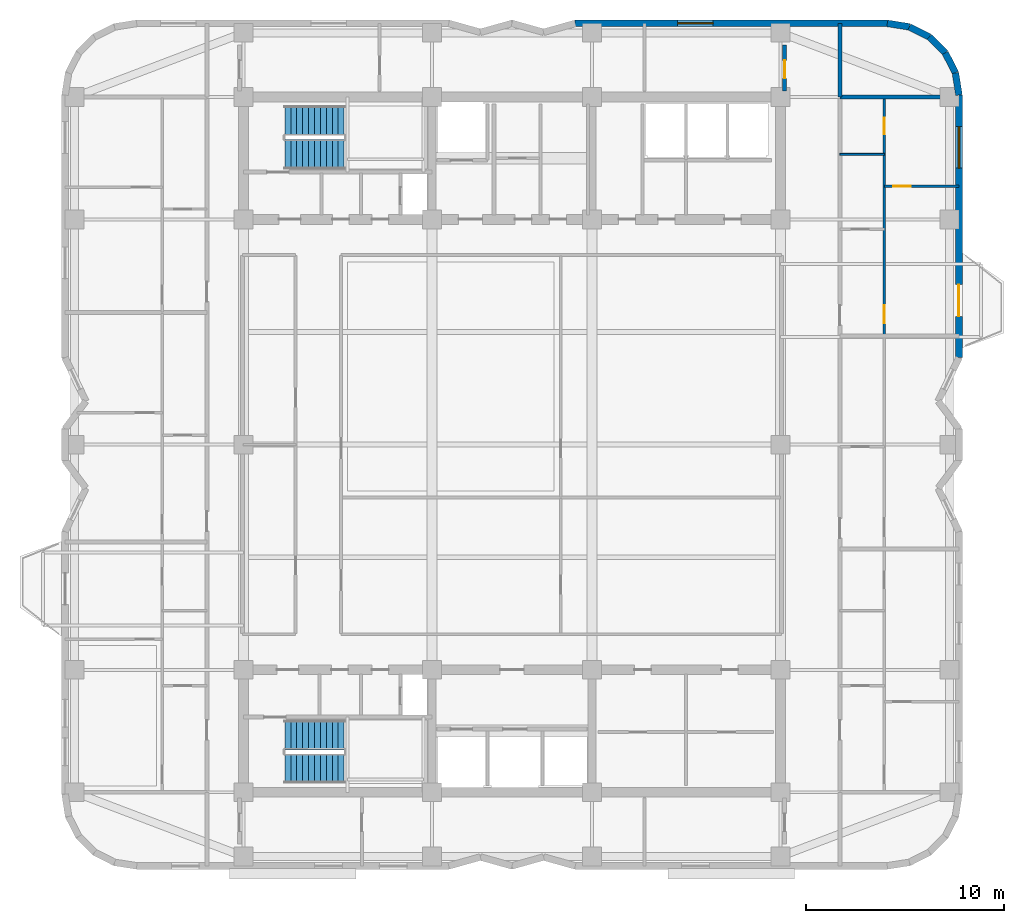
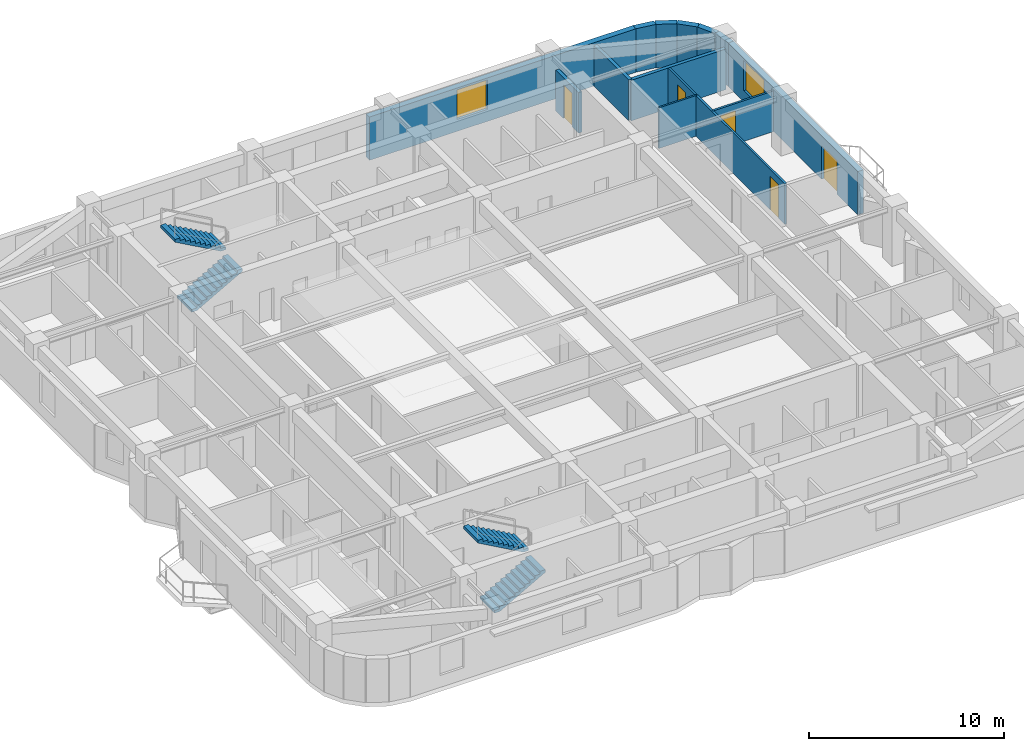
# One storey, part 7 of 10: 13 walls, 5 doors, 4 stair flights, 2 windows, 7 openings, 2 elements without a shape of their own.
"""IFC4 building model written with IfcOpenShell, lengths in metres."""

from ifc_helpers import new_model, si_unit, direction, frame, frame_2d, origin, place, context, subcontext, project, spatial, polyline, rectangle, outline, extrude, material, layer, layer_set, type_object, element, fill, aggregate, save


model = new_model("IFC4")

# Units and contexts
model_context = context("Model", 3, precision=1e-05, world=origin(), true_north=direction((0.0, 1.0)))
body_context = subcontext(model_context, "Body", "Model", "MODEL_VIEW")
ifc_project = project(units=[si_unit("LENGTHUNIT", "METRE"), si_unit("AREAUNIT", "SQUARE_METRE"), si_unit("VOLUMEUNIT", "CUBIC_METRE"), si_unit("PLANEANGLEUNIT", "RADIAN"), si_unit("MASSUNIT", "GRAM", prefix="KILO")], contexts=[model_context])

# Site, building, storey
site_placement = place(None, origin())
site = spatial("IfcSite", under=ifc_project, at=site_placement, CompositionType="ELEMENT")
building_placement = place(site_placement, origin())
building = spatial("IfcBuilding", under=site, at=building_placement, Name="Svetorya Sky Lyceum", CompositionType="ELEMENT")
storey_placement = place(building_placement, frame((0.0, 0.0, 188.5)))
storey = spatial("IfcBuildingStorey", under=building, at=storey_placement, Name="L47", CompositionType="ELEMENT", Elevation=188.5)

# Wall, openings, door, window
ifc_material_1 = material(Name="Putilovo limestone rainscreen on autoclaved cellular masonry", Category="masonry")
ifc_layer_1 = layer(ifc_material_1, 0.340087890625)
ifc_layer_set_1 = layer_set([ifc_layer_1], Name="Putilovo limestone rainscreen on autoclaved cellular masonry")
wall_type_1 = type_object("IfcWallType", Name="WL-EXT-340", PredefinedType="SOLIDWALL", material=ifc_layer_set_1)
wall_1_placement = place(storey_placement, frame((61.830078125, 32.60009765625, 0.0), z_axis=(0.0, 0.0, 1.0), x_axis=(0.0, 1.0, 0.0)))
wall_1 = element("IfcWall", 1, at=wall_1_placement, inside=storey, type_object=wall_type_1, Name="L47 Limestone Exterior Wall 23M", PredefinedType="SOLIDWALL", context=body_context, shape_type="SweptSolid", body=[
    extrude(rectangle(XDim=13.2998046875, YDim=0.340087890625, at=frame_2d((6.64990234375, 0.0))), origin(), (0.0, 0.0, 1.0), 2.719970703125),
])
opening_1_placement = place(wall_1_placement, frame((2.10009765625, 0.0, 0.0)))
opening_1 = element("IfcOpeningElement", 2, at=opening_1_placement, cuts=wall_1, Name="Opening D-BL1", PredefinedType="OPENING", context=body_context, shape_type="SweptSolid", body=[
    extrude(rectangle(XDim=1.60009765625, YDim=2.10009765625, at=frame_2d((0.800048828125, 1.050048828125))), frame((0.0, 0.179931640625, 0.0), z_axis=(0.0, -1.0, 0.0), x_axis=(1.0, 0.0, 0.0)), (0.0, 0.0, 1.0), 0.360107421875),
])
opening_2_placement = place(wall_1_placement, frame((9.60009765625, 0.0, 0.699951171875)))
opening_2 = element("IfcOpeningElement", 3, at=opening_2_placement, cuts=wall_1, Name="Opening W-R0", PredefinedType="OPENING", context=body_context, shape_type="SweptSolid", body=[
    extrude(rectangle(XDim=2.10009765625, YDim=1.89990234375, at=frame_2d((1.050048828125, 0.949951171875))), frame((0.0, 0.179931640625, 0.0), z_axis=(0.0, -1.0, 0.0), x_axis=(1.0, 0.0, 0.0)), (0.0, 0.0, 1.0), 0.360107421875),
])
ifc_material_2 = material(Name="Insulated glazed aluminium balcony door", Category="aluminium")
door_type_1 = type_object("IfcDoorType", Name="DR-BAL-1600", OperationType="DOUBLE_DOOR_SINGLE_SWING", PredefinedType="DOOR", material=ifc_material_2)
door_1_placement = place(opening_1_placement, origin())
door_1 = element("IfcDoor", 4, at=door_1_placement, inside=storey, type_object=door_type_1, Name="L47 Balcony BAL-E1 Door", OperationType="DOUBLE_DOOR_SINGLE_SWING", OverallHeight=2.10009765625, OverallWidth=1.60009765625, PredefinedType="DOOR", context=body_context, shape_type="SweptSolid", body=[
    extrude(rectangle(XDim=1.60009765625, YDim=2.10009765625, at=frame_2d((0.800048828125, 1.050048828125))), frame((0.0, 0.02490234375, 0.0), z_axis=(0.0, -1.0, 0.0), x_axis=(1.0, 0.0, 0.0)), (0.0, 0.0, 1.0), 0.050048828125),
])
fill(opening_1, door_1)
ifc_material_3 = material(Name="Thermally broken aluminium frame with triple low-E glazing", Category="aluminium")
window_type_1 = type_object("IfcWindowType", Name="WN-RES-210", PartitioningType="TRIPLE_PANEL_VERTICAL", PredefinedType="WINDOW", material=ifc_material_3)
window_1_placement = place(opening_2_placement, origin())
window_1 = element("IfcWindow", 5, at=window_1_placement, inside=storey, type_object=window_type_1, Name="L47 Facade Window W-R0.23M.1", OverallHeight=1.89990234375, OverallWidth=2.10009765625, PartitioningType="SINGLE_PANEL", PredefinedType="WINDOW", context=body_context, shape_type="SweptSolid", body=[
    extrude(rectangle(XDim=2.10009765625, YDim=1.89990234375, at=frame_2d((1.050048828125, 0.949951171875))), frame((0.0, 0.030029296875, 0.0), z_axis=(0.0, -1.0, 0.0), x_axis=(1.0, 0.0, 0.0)), (0.0, 0.0, 1.0), 0.06005859375),
])
fill(opening_2, window_1)

# Walls
for number, where, z_axis, x_axis, name in (
    (6, (61.830078125, 45.89990234375, 0.0), (0.0, 0.0, 1.0), (-0.156481329164, 0.987680916907, 0.0), "L47 Limestone Exterior Wall 24M"),
    (7, (61.65234375, 47.021728515625, 0.0), (0.0, 0.0, 1.0), (-0.453993402883, 0.891005044957, 0.0), "L47 Limestone Exterior Wall 25M"),
):
    element("IfcWall", number, at=place(storey_placement, frame(where, z_axis=z_axis, x_axis=x_axis)), inside=storey, type_object=wall_type_1, Name=name, PredefinedType="SOLIDWALL", context=body_context, shape_type="SweptSolid", body=[
        extrude(rectangle(XDim=1.1357421875, YDim=0.340087890625, at=frame_2d((0.56787109375, 0.0))), origin(), (0.0, 0.0, 1.0), 2.719970703125),
    ])
wall_2_placement = place(storey_placement, frame((61.13671875, 48.03369140625, 0.0), z_axis=(0.0, 0.0, 1.0), x_axis=(-0.707106781187, 0.707106781187, 0.0)))
element("IfcWall", 8, at=wall_2_placement, inside=storey, type_object=wall_type_1, Name="L47 Limestone Exterior Wall 26M", PredefinedType="SOLIDWALL", context=body_context, shape_type="SweptSolid", body=[
    extrude(rectangle(XDim=1.135498046875, YDim=0.340087890625, at=frame_2d((0.56787109375, 0.0))), origin(), (0.0, 0.0, 1.0), 2.719970703125),
])
for number, where, z_axis, x_axis, name in (
    (9, (60.333740234375, 48.836669921875, 0.0), (0.0, 0.0, 1.0), (-0.891005044957, 0.453993402883, 0.0), "L47 Limestone Exterior Wall 27M"),
    (10, (59.32177734375, 49.352294921875, 0.0), (0.0, 0.0, 1.0), (-0.987680916907, 0.156481329164, 0.0), "L47 Limestone Exterior Wall 28M"),
):
    element("IfcWall", number, at=place(storey_placement, frame(where, z_axis=z_axis, x_axis=x_axis)), inside=storey, type_object=wall_type_1, Name=name, PredefinedType="SOLIDWALL", context=body_context, shape_type="SweptSolid", body=[
        extrude(rectangle(XDim=1.1357421875, YDim=0.340087890625, at=frame_2d((0.56787109375, 0.0))), origin(), (0.0, 0.0, 1.0), 2.719970703125),
    ])

# Wall, opening, window
wall_3_placement = place(storey_placement, frame((58.199951171875, 49.530029296875, 0.0), z_axis=(0.0, 0.0, 1.0), x_axis=(-1.0, 0.0, 0.0)))
wall_3 = element("IfcWall", 11, at=wall_3_placement, inside=storey, type_object=wall_type_1, Name="L47 Limestone Exterior Wall 29M", PredefinedType="SOLIDWALL", context=body_context, shape_type="SweptSolid", body=[
    extrude(rectangle(XDim=15.800048828125, YDim=0.340087890625, at=frame_2d((7.89990234375, 0.0))), origin(), (0.0, 0.0, 1.0), 2.719970703125),
])
opening_3_placement = place(wall_3_placement, frame((8.8125, 0.0, 0.75)))
opening_3 = element("IfcOpeningElement", 12, at=opening_3_placement, cuts=wall_3, Name="Opening W-R1", PredefinedType="OPENING", context=body_context, shape_type="SweptSolid", body=[
    extrude(rectangle(XDim=1.800048828125, YDim=1.85009765625, at=frame_2d((0.89990234375, 0.925048828125))), frame((0.0, 0.179931640625, 0.0), z_axis=(0.0, -1.0, 0.0), x_axis=(1.0, 0.0, 0.0)), (0.0, 0.0, 1.0), 0.360107421875),
])
window_type_2 = type_object("IfcWindowType", Name="WN-RES-180", PartitioningType="DOUBLE_PANEL_VERTICAL", PredefinedType="WINDOW", material=ifc_material_3)
window_2_placement = place(opening_3_placement, origin())
window_2 = element("IfcWindow", 13, at=window_2_placement, inside=storey, type_object=window_type_2, Name="L47 Facade Window W-R1.29M.1", OverallHeight=1.85009765625, OverallWidth=1.800048828125, PartitioningType="SINGLE_PANEL", PredefinedType="WINDOW", context=body_context, shape_type="SweptSolid", body=[
    extrude(rectangle(XDim=1.800048828125, YDim=1.85009765625, at=frame_2d((0.89990234375, 0.925048828125))), frame((0.0, 0.030029296875, 0.0), z_axis=(0.0, -1.0, 0.0), x_axis=(1.0, 0.0, 0.0)), (0.0, 0.0, 1.0), 0.06005859375),
])
fill(opening_3, window_2)

# Wall
ifc_material_4 = material(Name="Galvanized stud partition with moisture-resistant board", Category="gypsum")
ifc_layer_2 = layer(ifc_material_4, 0.10009765625)
ifc_layer_set_2 = layer_set([ifc_layer_2], Name="Galvanized stud partition with moisture-resistant board")
wall_type_2 = type_object("IfcWallType", Name="WL-PART-100", PredefinedType="PARTITIONING", material=ifc_layer_set_2)
wall_4_placement = place(storey_placement, frame((55.800048828125, 42.89990234375, 0.0), z_axis=(0.0, 0.0, 1.0), x_axis=(1.0, 0.0, 0.0)))
element("IfcWall", 14, at=wall_4_placement, inside=storey, type_object=wall_type_2, Name="L47 Interior Partition E3-WH2", PredefinedType="PARTITIONING", context=body_context, shape_type="SweptSolid", body=[
    extrude(rectangle(XDim=2.25, YDim=0.10009765625, at=frame_2d((1.125, 0.0))), origin(), (0.0, 0.0, 1.0), 2.550048828125),
])

# Wall, opening, door
ifc_material_5 = material(Name="Twin-stud galvanized framing with double fireboard", Category="gypsum")
ifc_layer_3 = layer(ifc_material_5, 0.1201171875)
ifc_layer_set_3 = layer_set([ifc_layer_3], Name="Twin-stud galvanized framing with double fireboard")
wall_type_3 = type_object("IfcWallType", Name="WL-PART-120", PredefinedType="PARTITIONING", material=ifc_layer_set_3)
wall_5_placement = place(storey_placement, frame((58.050048828125, 41.280029296875, 0.0), z_axis=(0.0, 0.0, 1.0), x_axis=(1.0, 0.0, 0.0)))
wall_5 = element("IfcWall", 15, at=wall_5_placement, inside=storey, type_object=wall_type_3, Name="L47 Interior Partition E3-WL1", PredefinedType="PARTITIONING", context=body_context, shape_type="SweptSolid", body=[
    extrude(rectangle(XDim=3.780029296875, YDim=0.1201171875, at=frame_2d((1.89013671875, 0.0))), origin(), (0.0, 0.0, 1.0), 2.550048828125),
])
opening_4_placement = place(wall_5_placement, frame((0.449951171875, 0.0, 0.0)))
opening_4 = element("IfcOpeningElement", 16, at=opening_4_placement, cuts=wall_5, Name="Opening D-RM1", PredefinedType="OPENING", context=body_context, shape_type="SweptSolid", body=[
    extrude(rectangle(XDim=0.89990234375, YDim=2.10009765625, at=frame_2d((0.449951171875, 1.050048828125))), frame((0.0, 0.070068359375, 0.0), z_axis=(0.0, -1.0, 0.0), x_axis=(1.0, 0.0, 0.0)), (0.0, 0.0, 1.0), 0.14013671875),
])
ifc_material_6 = material(Name="Lacquered birch veneer internal door")
door_type_2 = type_object("IfcDoorType", Name="DR-INT-900", OperationType="SINGLE_SWING_LEFT", PredefinedType="DOOR", material=ifc_material_6)
door_2_placement = place(opening_4_placement, origin())
door_2 = element("IfcDoor", 17, at=door_2_placement, inside=storey, type_object=door_type_2, Name="Apartment E3 Bedroom 1 Door", OperationType="SINGLE_SWING_RIGHT", OverallHeight=2.10009765625, OverallWidth=0.89990234375, PredefinedType="DOOR", context=body_context, shape_type="SweptSolid", body=[
    extrude(rectangle(XDim=0.89990234375, YDim=2.10009765625, at=frame_2d((0.449951171875, 1.050048828125))), frame((0.0, 0.02490234375, 0.0), z_axis=(0.0, -1.0, 0.0), x_axis=(1.0, 0.0, 0.0)), (0.0, 0.0, 1.0), 0.050048828125),
])
fill(opening_4, door_2)

# Wall, openings, doors
wall_6_placement = place(storey_placement, frame((58.050048828125, 33.739990234375, 0.0), z_axis=(0.0, 0.0, 1.0), x_axis=(0.0, 1.0, 0.0)))
wall_6 = element("IfcWall", 18, at=wall_6_placement, inside=storey, type_object=wall_type_3, Name="L47 Interior Partition E3-WV", PredefinedType="PARTITIONING", context=body_context, shape_type="SweptSolid", body=[
    extrude(rectangle(XDim=12.02001953125, YDim=0.1201171875, at=frame_2d((6.010009765625, 0.0))), origin(), (0.0, 0.0, 1.0), 2.550048828125),
])
opening_5_placement = place(wall_6_placement, frame((0.610107421875, 0.0, 0.0)))
opening_5 = element("IfcOpeningElement", 19, at=opening_5_placement, cuts=wall_6, Name="Opening D-RM1", PredefinedType="OPENING", context=body_context, shape_type="SweptSolid", body=[
    extrude(rectangle(XDim=0.89990234375, YDim=2.10009765625, at=frame_2d((0.449951171875, 1.050048828125))), frame((0.0, 0.070068359375, 0.0), z_axis=(0.0, -1.0, 0.0), x_axis=(1.0, 0.0, 0.0)), (0.0, 0.0, 1.0), 0.14013671875),
])
opening_6_placement = place(wall_6_placement, frame((10.18505859375, 0.0, 0.0)))
opening_6 = element("IfcOpeningElement", 20, at=opening_6_placement, cuts=wall_6, Name="Opening D-BT2", PredefinedType="OPENING", context=body_context, shape_type="SweptSolid", body=[
    extrude(rectangle(XDim=0.820068359375, YDim=2.080078125, at=frame_2d((0.41015625, 1.0400390625))), frame((0.0, 0.070068359375, 0.0), z_axis=(0.0, -1.0, 0.0), x_axis=(1.0, 0.0, 0.0)), (0.0, 0.0, 1.0), 0.14013671875),
])
door_3_placement = place(opening_5_placement, origin())
door_3 = element("IfcDoor", 21, at=door_3_placement, inside=storey, type_object=door_type_2, Name="Apartment E3 Living Door", OperationType="SINGLE_SWING_LEFT", OverallHeight=2.10009765625, OverallWidth=0.89990234375, PredefinedType="DOOR", context=body_context, shape_type="SweptSolid", body=[
    extrude(rectangle(XDim=0.89990234375, YDim=2.10009765625, at=frame_2d((0.449951171875, 1.050048828125))), frame((0.0, 0.02490234375, 0.0), z_axis=(0.0, -1.0, 0.0), x_axis=(1.0, 0.0, 0.0)), (0.0, 0.0, 1.0), 0.050048828125),
])
fill(opening_5, door_3)
ifc_material_7 = material(Name="Compact moisture-resistant laminate closet door")
door_type_3 = type_object("IfcDoorType", Name="DR-WET-820", OperationType="SINGLE_SWING_LEFT", PredefinedType="DOOR", material=ifc_material_7)
door_4_placement = place(opening_6_placement, origin())
door_4 = element("IfcDoor", 22, at=door_4_placement, inside=storey, type_object=door_type_3, Name="Apartment E3 Study Door", OperationType="SINGLE_SWING_RIGHT", OverallHeight=2.080078125, OverallWidth=0.820068359375, PredefinedType="DOOR", context=body_context, shape_type="SweptSolid", body=[
    extrude(rectangle(XDim=0.820068359375, YDim=2.080078125, at=frame_2d((0.41015625, 1.0400390625))), frame((0.0, 0.02490234375, 0.0), z_axis=(0.0, -1.0, 0.0), x_axis=(1.0, 0.0, 0.0)), (0.0, 0.0, 1.0), 0.050048828125),
])
fill(opening_6, door_4)

# Walls
ifc_material_8 = material(Name="Autoclaved cellular masonry blockwork with gypsum plaster", Category="masonry")
ifc_layer_4 = layer(ifc_material_8, 0.199951171875)
ifc_layer_set_4 = layer_set([ifc_layer_4], Name="Autoclaved cellular masonry blockwork with gypsum plaster")
wall_type_4 = type_object("IfcWallType", Name="WL-PART-200", PredefinedType="PARTITIONING", material=ifc_layer_set_4)
wall_7_placement = place(storey_placement, frame((55.800048828125, 45.800048828125, 0.0), z_axis=(0.0, 0.0, 1.0), x_axis=(1.0, 0.0, 0.0)))
element("IfcWall", 23, at=wall_7_placement, inside=storey, type_object=wall_type_4, Name="L47 Interior Partition E-CAP-N", PredefinedType="PARTITIONING", context=body_context, shape_type="SweptSolid", body=[
    extrude(rectangle(XDim=5.60986328125, YDim=0.199951171875, at=frame_2d((2.804931640625, 0.0))), origin(), (0.0, 0.0, 1.0), 2.550048828125),
])
wall_8_placement = place(storey_placement, frame((55.800048828125, 45.800048828125, 0.0), z_axis=(0.0, 0.0, 1.0), x_axis=(0.0, 1.0, 0.0)))
element("IfcWall", 24, at=wall_8_placement, inside=storey, type_object=wall_type_4, Name="L47 Interior Partition EC-NE-END", PredefinedType="PARTITIONING", context=body_context, shape_type="SweptSolid", body=[
    extrude(rectangle(XDim=3.72998046875, YDim=0.199951171875, at=frame_2d((1.864990234375, 0.0))), origin(), (0.0, 0.0, 1.0), 2.550048828125),
])

# Wall, opening, door
wall_9_placement = place(storey_placement, frame((53.0, 46.10009765625, 0.0), z_axis=(0.0, 0.0, 1.0), x_axis=(0.0, 1.0, 0.0)))
wall_9 = element("IfcWall", 25, at=wall_9_placement, inside=storey, type_object=wall_type_4, Name="L47 Interior Partition N-EE", PredefinedType="PARTITIONING", context=body_context, shape_type="SweptSolid", body=[
    extrude(rectangle(XDim=2.329833984375, YDim=0.199951171875, at=frame_2d((1.1650390625, 0.0))), origin(), (0.0, 0.0, 1.0), 2.550048828125),
])
opening_7_placement = place(wall_9_placement, frame((0.64990234375, 0.0, 0.0)))
opening_7 = element("IfcOpeningElement", 26, at=opening_7_placement, cuts=wall_9, Name="Opening D-RM1", PredefinedType="OPENING", context=body_context, shape_type="SweptSolid", body=[
    extrude(rectangle(XDim=0.89990234375, YDim=2.10009765625, at=frame_2d((0.449951171875, 1.050048828125))), frame((0.0, 0.10986328125, 0.0), z_axis=(0.0, -1.0, 0.0), x_axis=(1.0, 0.0, 0.0)), (0.0, 0.0, 1.0), 0.219970703125),
])
door_5_placement = place(opening_7_placement, origin())
door_5 = element("IfcDoor", 27, at=door_5_placement, inside=storey, type_object=door_type_2, Name="L47 North Meeting Door", OperationType="SINGLE_SWING_LEFT", OverallHeight=2.10009765625, OverallWidth=0.89990234375, PredefinedType="DOOR", context=body_context, shape_type="SweptSolid", body=[
    extrude(rectangle(XDim=0.89990234375, YDim=2.10009765625, at=frame_2d((0.449951171875, 1.050048828125))), frame((0.0, 0.02490234375, 0.0), z_axis=(0.0, -1.0, 0.0), x_axis=(1.0, 0.0, 0.0)), (0.0, 0.0, 1.0), 0.050048828125),
])
fill(opening_7, door_5)

# Stair, stair flights
ifc_material_9 = material(Name="Concrete C40/50", Category="concrete")
stair_type_1 = type_object("IfcStairType", Name="STR-ST-N", PredefinedType="HALF_TURN_STAIR", material=ifc_material_9)
stair_1_placement = place(storey_placement, origin())
stair_1 = element("IfcStair", 28, at=stair_1_placement, inside=storey, type_object=stair_type_1, Name="L47 North Core Smoke-Free Exit Stair N3", PredefinedType="HALF_TURN_STAIR")
stair_flight_type_1 = type_object("IfcStairFlightType", Name="SFL-ST-N", PredefinedType="STRAIGHT", material=ifc_material_9)
stair_flight_1_placement = place(storey_placement, frame((27.699951171875, 42.89990234375, 0.0), z_axis=(0.0, 0.0, 1.0), x_axis=(1.0, 0.0, 0.0)))
stair_flight_1 = element("IfcStairFlight", 29, at=stair_flight_1_placement, type_object=stair_flight_type_1, Name="ST-N flight 1", NumberOfRisers=11, NumberOfTreads=10, PredefinedType="STRAIGHT", RiserHeight=0.168181818, TreadLength=0.3, context=body_context, shape_type="SweptSolid", body=[
    extrude(outline(polyline([(0.0, 0.0), (0.0, 0.168212890625), (0.300048828125, 0.168212890625), (0.300048828125, 0.33642578125), (0.60009765625, 0.33642578125), (0.60009765625, 0.504638671875), (0.89990234375, 0.504638671875), (0.89990234375, 0.672607421875), (1.199951171875, 0.672607421875), (1.199951171875, 0.8408203125), (1.5, 0.8408203125), (1.5, 1.009033203125), (1.800048828125, 1.009033203125), (1.800048828125, 1.17724609375), (2.10009765625, 1.17724609375), (2.10009765625, 1.345458984375), (2.39990234375, 1.345458984375), (2.39990234375, 1.513671875), (2.699951171875, 1.513671875), (2.699951171875, 1.681884765625), (3.0, 1.681884765625), (3.0, 1.85009765625), (3.0, 1.510009765625), (0.306640625, 0.0), (0.0, 0.0)])), frame((0.0, 0.75, 0.0), z_axis=(0.0, -1.0, 0.0), x_axis=(1.0, 0.0, 0.0)), (0.0, 0.0, 1.0), 1.5),
])
stair_flight_2_placement = place(storey_placement, frame((30.699951171875, 44.60009765625, 1.85009765625), z_axis=(0.0, 0.0, 1.0), x_axis=(-1.0, 0.0, 0.0)))
stair_flight_2 = element("IfcStairFlight", 30, at=stair_flight_2_placement, type_object=stair_flight_type_1, Name="ST-N flight 2", NumberOfRisers=11, NumberOfTreads=10, PredefinedType="STRAIGHT", RiserHeight=0.168181818, TreadLength=0.3, context=body_context, shape_type="SweptSolid", body=[
    extrude(outline(polyline([(0.0, 0.0), (0.0, 0.168212890625), (0.300048828125, 0.168212890625), (0.300048828125, 0.33642578125), (0.60009765625, 0.33642578125), (0.60009765625, 0.504638671875), (0.89990234375, 0.504638671875), (0.89990234375, 0.672607421875), (1.199951171875, 0.672607421875), (1.199951171875, 0.8408203125), (1.5, 0.8408203125), (1.5, 1.009033203125), (1.800048828125, 1.009033203125), (1.800048828125, 1.17724609375), (2.10009765625, 1.17724609375), (2.10009765625, 1.345458984375), (2.39990234375, 1.345458984375), (2.39990234375, 1.513671875), (2.699951171875, 1.513671875), (2.699951171875, 1.681884765625), (3.0, 1.681884765625), (3.0, 1.85009765625), (3.0, 1.510009765625), (0.306640625, 0.0), (0.0, 0.0)])), frame((0.0, 0.75, 0.0), z_axis=(0.0, -1.0, 0.0), x_axis=(1.0, 0.0, 0.0)), (0.0, 0.0, 1.0), 1.5),
])
aggregate(stair_1, [stair_flight_1, stair_flight_2])

stair_type_2 = type_object("IfcStairType", Name="STR-ST-S", PredefinedType="HALF_TURN_STAIR", material=ifc_material_9)
stair_2_placement = place(storey_placement, origin())
stair_2 = element("IfcStair", 31, at=stair_2_placement, inside=storey, type_object=stair_type_2, Name="L47 South Core Smoke-Free Exit Stair N2", PredefinedType="HALF_TURN_STAIR")
stair_flight_type_2 = type_object("IfcStairFlightType", Name="SFL-ST-S", PredefinedType="STRAIGHT", material=ifc_material_9)
stair_flight_3_placement = place(storey_placement, frame((27.699951171875, 11.800048828125, 0.0), z_axis=(0.0, 0.0, 1.0), x_axis=(1.0, 0.0, 0.0)))
stair_flight_3 = element("IfcStairFlight", 32, at=stair_flight_3_placement, type_object=stair_flight_type_2, Name="ST-S flight 1", NumberOfRisers=11, NumberOfTreads=10, PredefinedType="STRAIGHT", RiserHeight=0.168181818, TreadLength=0.3, context=body_context, shape_type="SweptSolid", body=[
    extrude(outline(polyline([(0.0, 0.0), (0.0, 0.168212890625), (0.300048828125, 0.168212890625), (0.300048828125, 0.33642578125), (0.60009765625, 0.33642578125), (0.60009765625, 0.504638671875), (0.89990234375, 0.504638671875), (0.89990234375, 0.672607421875), (1.199951171875, 0.672607421875), (1.199951171875, 0.8408203125), (1.5, 0.8408203125), (1.5, 1.009033203125), (1.800048828125, 1.009033203125), (1.800048828125, 1.17724609375), (2.10009765625, 1.17724609375), (2.10009765625, 1.345458984375), (2.39990234375, 1.345458984375), (2.39990234375, 1.513671875), (2.699951171875, 1.513671875), (2.699951171875, 1.681884765625), (3.0, 1.681884765625), (3.0, 1.85009765625), (3.0, 1.510009765625), (0.306640625, 0.0), (0.0, 0.0)])), frame((0.0, 0.75, 0.0), z_axis=(0.0, -1.0, 0.0), x_axis=(1.0, 0.0, 0.0)), (0.0, 0.0, 1.0), 1.5),
])
stair_flight_4_placement = place(storey_placement, frame((30.699951171875, 13.5, 1.85009765625), z_axis=(0.0, 0.0, 1.0), x_axis=(-1.0, 0.0, 0.0)))
stair_flight_4 = element("IfcStairFlight", 33, at=stair_flight_4_placement, type_object=stair_flight_type_2, Name="ST-S flight 2", NumberOfRisers=11, NumberOfTreads=10, PredefinedType="STRAIGHT", RiserHeight=0.168181818, TreadLength=0.3, context=body_context, shape_type="SweptSolid", body=[
    extrude(outline(polyline([(0.0, 0.0), (0.0, 0.168212890625), (0.300048828125, 0.168212890625), (0.300048828125, 0.33642578125), (0.60009765625, 0.33642578125), (0.60009765625, 0.504638671875), (0.89990234375, 0.504638671875), (0.89990234375, 0.672607421875), (1.199951171875, 0.672607421875), (1.199951171875, 0.8408203125), (1.5, 0.8408203125), (1.5, 1.009033203125), (1.800048828125, 1.009033203125), (1.800048828125, 1.17724609375), (2.10009765625, 1.17724609375), (2.10009765625, 1.345458984375), (2.39990234375, 1.345458984375), (2.39990234375, 1.513671875), (2.699951171875, 1.513671875), (2.699951171875, 1.681884765625), (3.0, 1.681884765625), (3.0, 1.85009765625), (3.0, 1.510009765625), (0.306640625, 0.0), (0.0, 0.0)])), frame((0.0, 0.75, 0.0), z_axis=(0.0, -1.0, 0.0), x_axis=(1.0, 0.0, 0.0)), (0.0, 0.0, 1.0), 1.5),
])
aggregate(stair_2, [stair_flight_3, stair_flight_4])

save(model, "model.ifc")
